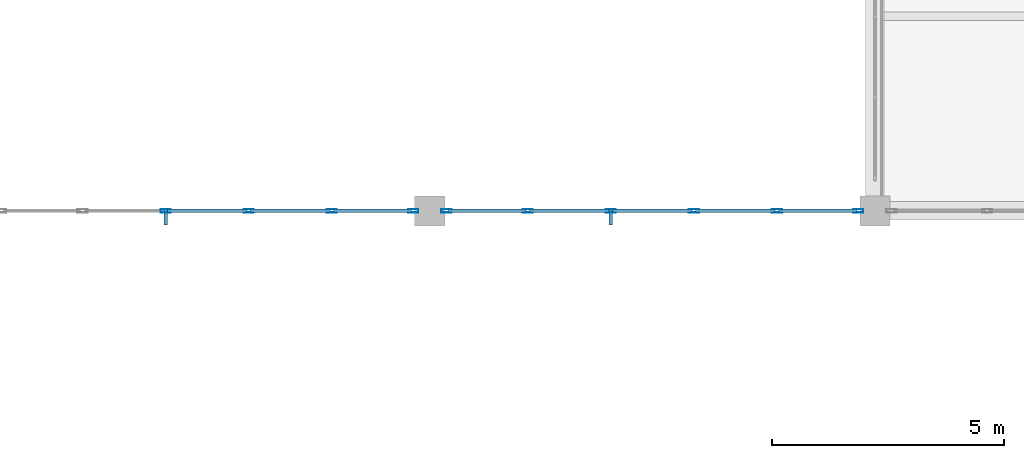
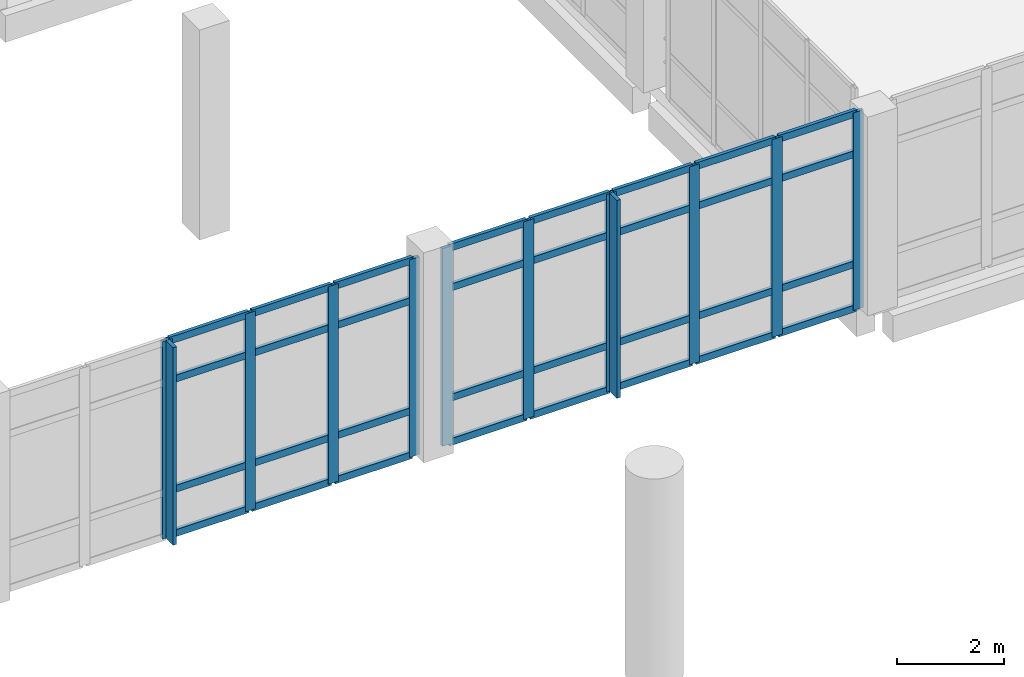
# One storey, part 36 of 102: 44 members, 2 elements without a shape of their own.
"""IFC4 building model written with IfcOpenShell, lengths in metres."""

from ifc_helpers import new_model, si_unit, direction, frame, origin, origin_2d, place, context, subcontext, project, spatial, rectangle, hollow_rectangle, extrude, material, layer, layer_set, material_profile, profile_set, type_object, element, aggregate, save


model = new_model("IFC4")

# Units and contexts
model_context = context("Model", 3, precision=1e-05, world=origin(), true_north=direction((0.0, 1.0)))
body_context = subcontext(model_context, "Body", "Model", "MODEL_VIEW")
ifc_project = project(units=[si_unit("LENGTHUNIT", "METRE"), si_unit("AREAUNIT", "SQUARE_METRE"), si_unit("VOLUMEUNIT", "CUBIC_METRE"), si_unit("PLANEANGLEUNIT", "RADIAN"), si_unit("MASSUNIT", "GRAM", prefix="KILO")], contexts=[model_context])

# Site, building, storey
site_placement = place(None, origin())
site = spatial("IfcSite", under=ifc_project, at=site_placement, CompositionType="ELEMENT")
building_placement = place(site_placement, origin())
building = spatial("IfcBuilding", under=site, at=building_placement, Name="Lornevale Opera House", CompositionType="ELEMENT")
storey_placement = place(building_placement, frame((0.0, 0.0, 5.39990234375)))
storey = spatial("IfcBuildingStorey", under=building, at=storey_placement, Name="L02", CompositionType="ELEMENT", Elevation=5.39990234375)

# Curtain wall, members
ifc_material_1 = material(Name="Anodized Oxide-Green Aluminium Framing", Category="aluminium")
ifc_layer = layer(ifc_material_1, 0.219970703125)
ifc_layer_set = layer_set([ifc_layer], Name="Anodized Oxide-Green Aluminium Framing")
curtain_wall_type = type_object("IfcCurtainWallType", Name="Winter-Garden Curtain Wall M1900", PredefinedType="NOTDEFINED", material=ifc_layer_set)
curtain_wall_1_placement = place(storey_placement, origin())
curtain_wall_1 = element("IfcCurtainWall", 1, at=curtain_wall_1_placement, inside=storey, type_object=curtain_wall_type, Name="Winter-Garden Curtain Wall M1900 CW-070", PredefinedType="NOTDEFINED")
ifc_material_profile_1 = material_profile(ifc_material_1, hollow_rectangle(XDim=0.074951171875, YDim=0.219970703125, WallThickness=0.0048828125, at=origin_2d()), Name="ALU75x220x5")
ifc_profile_set_1 = profile_set([ifc_material_profile_1], Name="Anodized Oxide-Green Aluminium Framing")
member_type_1 = type_object("IfcMemberType", Name="Curtain Wall Mullion 75x220", PredefinedType="MULLION", material=ifc_profile_set_1)
member_1_placement = place(storey_placement, frame((86.04150390625, 16.800048828125, 0.0), z_axis=(0.0, 0.0, 1.0), x_axis=(0.0, -1.0, 0.0)))
member_1 = element("IfcMember", 2, at=member_1_placement, type_object=member_type_1, Name="Curtain Wall Mullion 75x220 CW1398", PredefinedType="MULLION", context=body_context, shape_type="SweptSolid", body=[
    extrude(hollow_rectangle(XDim=0.074951171875, YDim=0.219970703125, WallThickness=0.0048828125, at=origin_2d()), origin(), (0.0, 0.0, 1.0), 4.52001953125),
])
member_2_placement = place(storey_placement, frame((84.287353515625, 16.800048828125, 0.0), z_axis=(0.0, 0.0, 1.0), x_axis=(0.0, -1.0, 0.0)))
member_2 = element("IfcMember", 3, at=member_2_placement, type_object=member_type_1, Name="Curtain Wall Mullion 75x220 CW1399", PredefinedType="MULLION", context=body_context, shape_type="SweptSolid", body=[
    extrude(hollow_rectangle(XDim=0.074951171875, YDim=0.219970703125, WallThickness=0.0048828125, at=origin_2d()), origin(), (0.0, 0.0, 1.0), 4.52001953125),
])
member_3_placement = place(storey_placement, frame((82.495849609375, 16.800048828125, 0.0), z_axis=(0.0, 0.0, 1.0), x_axis=(0.0, -1.0, 0.0)))
member_3 = element("IfcMember", 4, at=member_3_placement, type_object=member_type_1, Name="Curtain Wall Mullion 75x220 CW1400", PredefinedType="MULLION", context=body_context, shape_type="SweptSolid", body=[
    extrude(hollow_rectangle(XDim=0.074951171875, YDim=0.219970703125, WallThickness=0.0048828125, at=origin_2d()), origin(), (0.0, 0.0, 1.0), 4.52001953125),
])
member_4_placement = place(storey_placement, frame((80.7041015625, 16.800048828125, 0.0), z_axis=(0.0, 0.0, 1.0), x_axis=(0.0, -1.0, 0.0)))
member_4 = element("IfcMember", 5, at=member_4_placement, type_object=member_type_1, Name="Curtain Wall Mullion 75x220 CW1401", PredefinedType="MULLION", context=body_context, shape_type="SweptSolid", body=[
    extrude(hollow_rectangle(XDim=0.074951171875, YDim=0.219970703125, WallThickness=0.0048828125, at=origin_2d()), origin(), (0.0, 0.0, 1.0), 4.52001953125),
])

curtain_wall_2_placement = place(storey_placement, origin())
curtain_wall_2 = element("IfcCurtainWall", 6, at=curtain_wall_2_placement, inside=storey, type_object=curtain_wall_type, Name="Winter-Garden Curtain Wall M1900 CW-071", PredefinedType="NOTDEFINED")
member_5_placement = place(storey_placement, frame((95.6416015625, 16.800048828125, 0.0), z_axis=(0.0, 0.0, 1.0), x_axis=(0.0, -1.0, 0.0)))
member_5 = element("IfcMember", 7, at=member_5_placement, type_object=member_type_1, Name="Curtain Wall Mullion 75x220 CW1439", PredefinedType="MULLION", context=body_context, shape_type="SweptSolid", body=[
    extrude(hollow_rectangle(XDim=0.074951171875, YDim=0.219970703125, WallThickness=0.0048828125, at=origin_2d()), origin(), (0.0, 0.0, 1.0), 4.52001953125),
])
member_6_placement = place(storey_placement, frame((93.887451171875, 16.800048828125, 0.0), z_axis=(0.0, 0.0, 1.0), x_axis=(0.0, -1.0, 0.0)))
member_6 = element("IfcMember", 8, at=member_6_placement, type_object=member_type_1, Name="Curtain Wall Mullion 75x220 CW1440", PredefinedType="MULLION", context=body_context, shape_type="SweptSolid", body=[
    extrude(hollow_rectangle(XDim=0.074951171875, YDim=0.219970703125, WallThickness=0.0048828125, at=origin_2d()), origin(), (0.0, 0.0, 1.0), 4.52001953125),
])
member_7_placement = place(storey_placement, frame((92.095703125, 16.800048828125, 0.0), z_axis=(0.0, 0.0, 1.0), x_axis=(0.0, -1.0, 0.0)))
member_7 = element("IfcMember", 9, at=member_7_placement, type_object=member_type_1, Name="Curtain Wall Mullion 75x220 CW1441", PredefinedType="MULLION", context=body_context, shape_type="SweptSolid", body=[
    extrude(hollow_rectangle(XDim=0.074951171875, YDim=0.219970703125, WallThickness=0.0048828125, at=origin_2d()), origin(), (0.0, 0.0, 1.0), 4.52001953125),
])
member_8_placement = place(storey_placement, frame((90.30419921875, 16.800048828125, 0.0), z_axis=(0.0, 0.0, 1.0), x_axis=(0.0, -1.0, 0.0)))
member_8 = element("IfcMember", 10, at=member_8_placement, type_object=member_type_1, Name="Curtain Wall Mullion 75x220 CW1442", PredefinedType="MULLION", context=body_context, shape_type="SweptSolid", body=[
    extrude(hollow_rectangle(XDim=0.074951171875, YDim=0.219970703125, WallThickness=0.0048828125, at=origin_2d()), origin(), (0.0, 0.0, 1.0), 4.52001953125),
])
member_9_placement = place(storey_placement, frame((88.5126953125, 16.800048828125, 0.0), z_axis=(0.0, 0.0, 1.0), x_axis=(0.0, -1.0, 0.0)))
member_9 = element("IfcMember", 11, at=member_9_placement, type_object=member_type_1, Name="Curtain Wall Mullion 75x220 CW1443", PredefinedType="MULLION", context=body_context, shape_type="SweptSolid", body=[
    extrude(hollow_rectangle(XDim=0.074951171875, YDim=0.219970703125, WallThickness=0.0048828125, at=origin_2d()), origin(), (0.0, 0.0, 1.0), 4.52001953125),
])
member_10_placement = place(storey_placement, frame((86.758544921875, 16.800048828125, 0.0), z_axis=(0.0, 0.0, 1.0), x_axis=(0.0, -1.0, 0.0)))
member_10 = element("IfcMember", 12, at=member_10_placement, type_object=member_type_1, Name="Curtain Wall Mullion 75x220 CW1444", PredefinedType="MULLION", context=body_context, shape_type="SweptSolid", body=[
    extrude(hollow_rectangle(XDim=0.074951171875, YDim=0.219970703125, WallThickness=0.0048828125, at=origin_2d()), origin(), (0.0, 0.0, 1.0), 4.52001953125),
])

# Member
ifc_material_profile_2 = material_profile(ifc_material_1, hollow_rectangle(XDim=0.074951171875, YDim=0.159912109375, WallThickness=0.0048828125, at=origin_2d()), Name="ALU75x160x5")
ifc_profile_set_2 = profile_set([ifc_material_profile_2], Name="Anodized Oxide-Green Aluminium Framing")
member_type_2 = type_object("IfcMemberType", Name="Curtain Wall Transom 75x160", PredefinedType="USERDEFINED", material=ifc_profile_set_2)
member_11_placement = place(storey_placement, frame((86.00390625, 16.800048828125, 0.03759765625), z_axis=(-1.0, 0.0, 0.0), x_axis=(0.0, -1.0, 0.0)))
member_11 = element("IfcMember", 13, at=member_11_placement, type_object=member_type_2, Name="Curtain Wall Transom 75x160 CW1404", ObjectType="TRANSOM", PredefinedType="USERDEFINED", context=body_context, shape_type="SweptSolid", body=[
    extrude(hollow_rectangle(XDim=0.074951171875, YDim=0.159912109375, WallThickness=0.0048828125, at=origin_2d()), origin(), (0.0, 0.0, 1.0), 1.678955078125),
])

member_12_placement = place(storey_placement, frame((86.00390625, 16.800048828125, 1.050048828125), z_axis=(-1.0, 0.0, 0.0), x_axis=(0.0, -1.0, 0.0)))
member_12 = element("IfcMember", 14, at=member_12_placement, type_object=member_type_2, Name="Curtain Wall Transom 75x160 CW1405", ObjectType="TRANSOM", PredefinedType="USERDEFINED", context=body_context, shape_type="SweptSolid", body=[
    extrude(hollow_rectangle(XDim=0.074951171875, YDim=0.159912109375, WallThickness=0.0048828125, at=origin_2d()), origin(), (0.0, 0.0, 1.0), 1.678955078125),
])

member_13_placement = place(storey_placement, frame((86.00390625, 16.800048828125, 3.570068359375), z_axis=(-1.0, 0.0, 0.0), x_axis=(0.0, -1.0, 0.0)))
member_13 = element("IfcMember", 15, at=member_13_placement, type_object=member_type_2, Name="Curtain Wall Transom 75x160 CW1406", ObjectType="TRANSOM", PredefinedType="USERDEFINED", context=body_context, shape_type="SweptSolid", body=[
    extrude(hollow_rectangle(XDim=0.074951171875, YDim=0.159912109375, WallThickness=0.0048828125, at=origin_2d()), origin(), (0.0, 0.0, 1.0), 1.678955078125),
])

member_14_placement = place(storey_placement, frame((86.00390625, 16.800048828125, 4.482666015625), z_axis=(-1.0, 0.0, 0.0), x_axis=(0.0, -1.0, 0.0)))
member_14 = element("IfcMember", 16, at=member_14_placement, type_object=member_type_2, Name="Curtain Wall Transom 75x160 CW1407", ObjectType="TRANSOM", PredefinedType="USERDEFINED", context=body_context, shape_type="SweptSolid", body=[
    extrude(hollow_rectangle(XDim=0.074951171875, YDim=0.159912109375, WallThickness=0.0048828125, at=origin_2d()), origin(), (0.0, 0.0, 1.0), 1.678955078125),
])

member_15_placement = place(storey_placement, frame((84.25, 16.800048828125, 0.03759765625), z_axis=(-1.0, 0.0, 0.0), x_axis=(0.0, -1.0, 0.0)))
member_15 = element("IfcMember", 17, at=member_15_placement, type_object=member_type_2, Name="Curtain Wall Transom 75x160 CW1411", ObjectType="TRANSOM", PredefinedType="USERDEFINED", context=body_context, shape_type="SweptSolid", body=[
    extrude(hollow_rectangle(XDim=0.074951171875, YDim=0.159912109375, WallThickness=0.0048828125, at=origin_2d()), origin(), (0.0, 0.0, 1.0), 1.716796875),
])

member_16_placement = place(storey_placement, frame((84.25, 16.800048828125, 1.050048828125), z_axis=(-1.0, 0.0, 0.0), x_axis=(0.0, -1.0, 0.0)))
member_16 = element("IfcMember", 18, at=member_16_placement, type_object=member_type_2, Name="Curtain Wall Transom 75x160 CW1412", ObjectType="TRANSOM", PredefinedType="USERDEFINED", context=body_context, shape_type="SweptSolid", body=[
    extrude(hollow_rectangle(XDim=0.074951171875, YDim=0.159912109375, WallThickness=0.0048828125, at=origin_2d()), origin(), (0.0, 0.0, 1.0), 1.716796875),
])

member_17_placement = place(storey_placement, frame((84.25, 16.800048828125, 3.570068359375), z_axis=(-1.0, 0.0, 0.0), x_axis=(0.0, -1.0, 0.0)))
member_17 = element("IfcMember", 19, at=member_17_placement, type_object=member_type_2, Name="Curtain Wall Transom 75x160 CW1413", ObjectType="TRANSOM", PredefinedType="USERDEFINED", context=body_context, shape_type="SweptSolid", body=[
    extrude(hollow_rectangle(XDim=0.074951171875, YDim=0.159912109375, WallThickness=0.0048828125, at=origin_2d()), origin(), (0.0, 0.0, 1.0), 1.716796875),
])

member_18_placement = place(storey_placement, frame((84.25, 16.800048828125, 4.482666015625), z_axis=(-1.0, 0.0, 0.0), x_axis=(0.0, -1.0, 0.0)))
member_18 = element("IfcMember", 20, at=member_18_placement, type_object=member_type_2, Name="Curtain Wall Transom 75x160 CW1414", ObjectType="TRANSOM", PredefinedType="USERDEFINED", context=body_context, shape_type="SweptSolid", body=[
    extrude(hollow_rectangle(XDim=0.074951171875, YDim=0.159912109375, WallThickness=0.0048828125, at=origin_2d()), origin(), (0.0, 0.0, 1.0), 1.716796875),
])

member_19_placement = place(storey_placement, frame((82.458251953125, 16.800048828125, 0.03759765625), z_axis=(-1.0, 0.0, 0.0), x_axis=(0.0, -1.0, 0.0)))
member_19 = element("IfcMember", 21, at=member_19_placement, type_object=member_type_2, Name="Curtain Wall Transom 75x160 CW1418", ObjectType="TRANSOM", PredefinedType="USERDEFINED", context=body_context, shape_type="SweptSolid", body=[
    extrude(hollow_rectangle(XDim=0.074951171875, YDim=0.159912109375, WallThickness=0.0048828125, at=origin_2d()), origin(), (0.0, 0.0, 1.0), 1.716552734375),
])

member_20_placement = place(storey_placement, frame((82.458251953125, 16.800048828125, 1.050048828125), z_axis=(-1.0, 0.0, 0.0), x_axis=(0.0, -1.0, 0.0)))
member_20 = element("IfcMember", 22, at=member_20_placement, type_object=member_type_2, Name="Curtain Wall Transom 75x160 CW1419", ObjectType="TRANSOM", PredefinedType="USERDEFINED", context=body_context, shape_type="SweptSolid", body=[
    extrude(hollow_rectangle(XDim=0.074951171875, YDim=0.159912109375, WallThickness=0.0048828125, at=origin_2d()), origin(), (0.0, 0.0, 1.0), 1.716552734375),
])

member_21_placement = place(storey_placement, frame((82.458251953125, 16.800048828125, 3.570068359375), z_axis=(-1.0, 0.0, 0.0), x_axis=(0.0, -1.0, 0.0)))
member_21 = element("IfcMember", 23, at=member_21_placement, type_object=member_type_2, Name="Curtain Wall Transom 75x160 CW1420", ObjectType="TRANSOM", PredefinedType="USERDEFINED", context=body_context, shape_type="SweptSolid", body=[
    extrude(hollow_rectangle(XDim=0.074951171875, YDim=0.159912109375, WallThickness=0.0048828125, at=origin_2d()), origin(), (0.0, 0.0, 1.0), 1.716552734375),
])

member_22_placement = place(storey_placement, frame((82.458251953125, 16.800048828125, 4.482666015625), z_axis=(-1.0, 0.0, 0.0), x_axis=(0.0, -1.0, 0.0)))
member_22 = element("IfcMember", 24, at=member_22_placement, type_object=member_type_2, Name="Curtain Wall Transom 75x160 CW1421", ObjectType="TRANSOM", PredefinedType="USERDEFINED", context=body_context, shape_type="SweptSolid", body=[
    extrude(hollow_rectangle(XDim=0.074951171875, YDim=0.159912109375, WallThickness=0.0048828125, at=origin_2d()), origin(), (0.0, 0.0, 1.0), 1.716552734375),
])

member_23_placement = place(storey_placement, frame((95.60400390625, 16.800048828125, 0.03759765625), z_axis=(-1.0, 0.0, 0.0), x_axis=(0.0, -1.0, 0.0)))
member_23 = element("IfcMember", 25, at=member_23_placement, type_object=member_type_2, Name="Curtain Wall Transom 75x160 CW1445", ObjectType="TRANSOM", PredefinedType="USERDEFINED", context=body_context, shape_type="SweptSolid", body=[
    extrude(hollow_rectangle(XDim=0.074951171875, YDim=0.159912109375, WallThickness=0.0048828125, at=origin_2d()), origin(), (0.0, 0.0, 1.0), 1.67919921875),
])

member_24_placement = place(storey_placement, frame((95.60400390625, 16.800048828125, 1.050048828125), z_axis=(-1.0, 0.0, 0.0), x_axis=(0.0, -1.0, 0.0)))
member_24 = element("IfcMember", 26, at=member_24_placement, type_object=member_type_2, Name="Curtain Wall Transom 75x160 CW1446", ObjectType="TRANSOM", PredefinedType="USERDEFINED", context=body_context, shape_type="SweptSolid", body=[
    extrude(hollow_rectangle(XDim=0.074951171875, YDim=0.159912109375, WallThickness=0.0048828125, at=origin_2d()), origin(), (0.0, 0.0, 1.0), 1.67919921875),
])

member_25_placement = place(storey_placement, frame((95.60400390625, 16.800048828125, 3.570068359375), z_axis=(-1.0, 0.0, 0.0), x_axis=(0.0, -1.0, 0.0)))
member_25 = element("IfcMember", 27, at=member_25_placement, type_object=member_type_2, Name="Curtain Wall Transom 75x160 CW1447", ObjectType="TRANSOM", PredefinedType="USERDEFINED", context=body_context, shape_type="SweptSolid", body=[
    extrude(hollow_rectangle(XDim=0.074951171875, YDim=0.159912109375, WallThickness=0.0048828125, at=origin_2d()), origin(), (0.0, 0.0, 1.0), 1.67919921875),
])

member_26_placement = place(storey_placement, frame((95.60400390625, 16.800048828125, 4.482666015625), z_axis=(-1.0, 0.0, 0.0), x_axis=(0.0, -1.0, 0.0)))
member_26 = element("IfcMember", 28, at=member_26_placement, type_object=member_type_2, Name="Curtain Wall Transom 75x160 CW1448", ObjectType="TRANSOM", PredefinedType="USERDEFINED", context=body_context, shape_type="SweptSolid", body=[
    extrude(hollow_rectangle(XDim=0.074951171875, YDim=0.159912109375, WallThickness=0.0048828125, at=origin_2d()), origin(), (0.0, 0.0, 1.0), 1.67919921875),
])

member_27_placement = place(storey_placement, frame((93.849853515625, 16.800048828125, 0.03759765625), z_axis=(-1.0, 0.0, 0.0), x_axis=(0.0, -1.0, 0.0)))
member_27 = element("IfcMember", 29, at=member_27_placement, type_object=member_type_2, Name="Curtain Wall Transom 75x160 CW1452", ObjectType="TRANSOM", PredefinedType="USERDEFINED", context=body_context, shape_type="SweptSolid", body=[
    extrude(hollow_rectangle(XDim=0.074951171875, YDim=0.159912109375, WallThickness=0.0048828125, at=origin_2d()), origin(), (0.0, 0.0, 1.0), 1.716552734375),
])

member_28_placement = place(storey_placement, frame((93.849853515625, 16.800048828125, 1.050048828125), z_axis=(-1.0, 0.0, 0.0), x_axis=(0.0, -1.0, 0.0)))
member_28 = element("IfcMember", 30, at=member_28_placement, type_object=member_type_2, Name="Curtain Wall Transom 75x160 CW1453", ObjectType="TRANSOM", PredefinedType="USERDEFINED", context=body_context, shape_type="SweptSolid", body=[
    extrude(hollow_rectangle(XDim=0.074951171875, YDim=0.159912109375, WallThickness=0.0048828125, at=origin_2d()), origin(), (0.0, 0.0, 1.0), 1.716552734375),
])

member_29_placement = place(storey_placement, frame((93.849853515625, 16.800048828125, 3.570068359375), z_axis=(-1.0, 0.0, 0.0), x_axis=(0.0, -1.0, 0.0)))
member_29 = element("IfcMember", 31, at=member_29_placement, type_object=member_type_2, Name="Curtain Wall Transom 75x160 CW1454", ObjectType="TRANSOM", PredefinedType="USERDEFINED", context=body_context, shape_type="SweptSolid", body=[
    extrude(hollow_rectangle(XDim=0.074951171875, YDim=0.159912109375, WallThickness=0.0048828125, at=origin_2d()), origin(), (0.0, 0.0, 1.0), 1.716552734375),
])

member_30_placement = place(storey_placement, frame((93.849853515625, 16.800048828125, 4.482666015625), z_axis=(-1.0, 0.0, 0.0), x_axis=(0.0, -1.0, 0.0)))
member_30 = element("IfcMember", 32, at=member_30_placement, type_object=member_type_2, Name="Curtain Wall Transom 75x160 CW1455", ObjectType="TRANSOM", PredefinedType="USERDEFINED", context=body_context, shape_type="SweptSolid", body=[
    extrude(hollow_rectangle(XDim=0.074951171875, YDim=0.159912109375, WallThickness=0.0048828125, at=origin_2d()), origin(), (0.0, 0.0, 1.0), 1.716552734375),
])

member_31_placement = place(storey_placement, frame((92.058349609375, 16.800048828125, 0.03759765625), z_axis=(-1.0, 0.0, 0.0), x_axis=(0.0, -1.0, 0.0)))
member_31 = element("IfcMember", 33, at=member_31_placement, type_object=member_type_2, Name="Curtain Wall Transom 75x160 CW1459", ObjectType="TRANSOM", PredefinedType="USERDEFINED", context=body_context, shape_type="SweptSolid", body=[
    extrude(hollow_rectangle(XDim=0.074951171875, YDim=0.159912109375, WallThickness=0.0048828125, at=origin_2d()), origin(), (0.0, 0.0, 1.0), 1.716552734375),
])

member_32_placement = place(storey_placement, frame((92.058349609375, 16.800048828125, 1.050048828125), z_axis=(-1.0, 0.0, 0.0), x_axis=(0.0, -1.0, 0.0)))
member_32 = element("IfcMember", 34, at=member_32_placement, type_object=member_type_2, Name="Curtain Wall Transom 75x160 CW1460", ObjectType="TRANSOM", PredefinedType="USERDEFINED", context=body_context, shape_type="SweptSolid", body=[
    extrude(hollow_rectangle(XDim=0.074951171875, YDim=0.159912109375, WallThickness=0.0048828125, at=origin_2d()), origin(), (0.0, 0.0, 1.0), 1.716552734375),
])

member_33_placement = place(storey_placement, frame((92.058349609375, 16.800048828125, 3.570068359375), z_axis=(-1.0, 0.0, 0.0), x_axis=(0.0, -1.0, 0.0)))
member_33 = element("IfcMember", 35, at=member_33_placement, type_object=member_type_2, Name="Curtain Wall Transom 75x160 CW1461", ObjectType="TRANSOM", PredefinedType="USERDEFINED", context=body_context, shape_type="SweptSolid", body=[
    extrude(hollow_rectangle(XDim=0.074951171875, YDim=0.159912109375, WallThickness=0.0048828125, at=origin_2d()), origin(), (0.0, 0.0, 1.0), 1.716552734375),
])

member_34_placement = place(storey_placement, frame((92.058349609375, 16.800048828125, 4.482666015625), z_axis=(-1.0, 0.0, 0.0), x_axis=(0.0, -1.0, 0.0)))
member_34 = element("IfcMember", 36, at=member_34_placement, type_object=member_type_2, Name="Curtain Wall Transom 75x160 CW1462", ObjectType="TRANSOM", PredefinedType="USERDEFINED", context=body_context, shape_type="SweptSolid", body=[
    extrude(hollow_rectangle(XDim=0.074951171875, YDim=0.159912109375, WallThickness=0.0048828125, at=origin_2d()), origin(), (0.0, 0.0, 1.0), 1.716552734375),
])

member_35_placement = place(storey_placement, frame((90.2666015625, 16.800048828125, 0.03759765625), z_axis=(-1.0, 0.0, 0.0), x_axis=(0.0, -1.0, 0.0)))
member_35 = element("IfcMember", 37, at=member_35_placement, type_object=member_type_2, Name="Curtain Wall Transom 75x160 CW1466", ObjectType="TRANSOM", PredefinedType="USERDEFINED", context=body_context, shape_type="SweptSolid", body=[
    extrude(hollow_rectangle(XDim=0.074951171875, YDim=0.159912109375, WallThickness=0.0048828125, at=origin_2d()), origin(), (0.0, 0.0, 1.0), 1.716552734375),
])

member_36_placement = place(storey_placement, frame((90.2666015625, 16.800048828125, 1.050048828125), z_axis=(-1.0, 0.0, 0.0), x_axis=(0.0, -1.0, 0.0)))
member_36 = element("IfcMember", 38, at=member_36_placement, type_object=member_type_2, Name="Curtain Wall Transom 75x160 CW1467", ObjectType="TRANSOM", PredefinedType="USERDEFINED", context=body_context, shape_type="SweptSolid", body=[
    extrude(hollow_rectangle(XDim=0.074951171875, YDim=0.159912109375, WallThickness=0.0048828125, at=origin_2d()), origin(), (0.0, 0.0, 1.0), 1.716552734375),
])

member_37_placement = place(storey_placement, frame((90.2666015625, 16.800048828125, 3.570068359375), z_axis=(-1.0, 0.0, 0.0), x_axis=(0.0, -1.0, 0.0)))
member_37 = element("IfcMember", 39, at=member_37_placement, type_object=member_type_2, Name="Curtain Wall Transom 75x160 CW1468", ObjectType="TRANSOM", PredefinedType="USERDEFINED", context=body_context, shape_type="SweptSolid", body=[
    extrude(hollow_rectangle(XDim=0.074951171875, YDim=0.159912109375, WallThickness=0.0048828125, at=origin_2d()), origin(), (0.0, 0.0, 1.0), 1.716552734375),
])

member_38_placement = place(storey_placement, frame((90.2666015625, 16.800048828125, 4.482666015625), z_axis=(-1.0, 0.0, 0.0), x_axis=(0.0, -1.0, 0.0)))
member_38 = element("IfcMember", 40, at=member_38_placement, type_object=member_type_2, Name="Curtain Wall Transom 75x160 CW1469", ObjectType="TRANSOM", PredefinedType="USERDEFINED", context=body_context, shape_type="SweptSolid", body=[
    extrude(hollow_rectangle(XDim=0.074951171875, YDim=0.159912109375, WallThickness=0.0048828125, at=origin_2d()), origin(), (0.0, 0.0, 1.0), 1.716552734375),
])

member_39_placement = place(storey_placement, frame((88.47509765625, 16.800048828125, 0.03759765625), z_axis=(-1.0, 0.0, 0.0), x_axis=(0.0, -1.0, 0.0)))
member_39 = element("IfcMember", 41, at=member_39_placement, type_object=member_type_2, Name="Curtain Wall Transom 75x160 CW1473", ObjectType="TRANSOM", PredefinedType="USERDEFINED", context=body_context, shape_type="SweptSolid", body=[
    extrude(hollow_rectangle(XDim=0.074951171875, YDim=0.159912109375, WallThickness=0.0048828125, at=origin_2d()), origin(), (0.0, 0.0, 1.0), 1.67919921875),
])

member_40_placement = place(storey_placement, frame((88.47509765625, 16.800048828125, 1.050048828125), z_axis=(-1.0, 0.0, 0.0), x_axis=(0.0, -1.0, 0.0)))
member_40 = element("IfcMember", 42, at=member_40_placement, type_object=member_type_2, Name="Curtain Wall Transom 75x160 CW1474", ObjectType="TRANSOM", PredefinedType="USERDEFINED", context=body_context, shape_type="SweptSolid", body=[
    extrude(hollow_rectangle(XDim=0.074951171875, YDim=0.159912109375, WallThickness=0.0048828125, at=origin_2d()), origin(), (0.0, 0.0, 1.0), 1.67919921875),
])

member_41_placement = place(storey_placement, frame((88.47509765625, 16.800048828125, 3.570068359375), z_axis=(-1.0, 0.0, 0.0), x_axis=(0.0, -1.0, 0.0)))
member_41 = element("IfcMember", 43, at=member_41_placement, type_object=member_type_2, Name="Curtain Wall Transom 75x160 CW1475", ObjectType="TRANSOM", PredefinedType="USERDEFINED", context=body_context, shape_type="SweptSolid", body=[
    extrude(hollow_rectangle(XDim=0.074951171875, YDim=0.159912109375, WallThickness=0.0048828125, at=origin_2d()), origin(), (0.0, 0.0, 1.0), 1.67919921875),
])

member_42_placement = place(storey_placement, frame((88.47509765625, 16.800048828125, 4.482666015625), z_axis=(-1.0, 0.0, 0.0), x_axis=(0.0, -1.0, 0.0)))
member_42 = element("IfcMember", 44, at=member_42_placement, type_object=member_type_2, Name="Curtain Wall Transom 75x160 CW1476", ObjectType="TRANSOM", PredefinedType="USERDEFINED", context=body_context, shape_type="SweptSolid", body=[
    extrude(hollow_rectangle(XDim=0.074951171875, YDim=0.159912109375, WallThickness=0.0048828125, at=origin_2d()), origin(), (0.0, 0.0, 1.0), 1.67919921875),
])

ifc_material_2 = material(Name="Architectural Bronze Solar Louvre Alloy", Category="metal")
ifc_material_profile_3 = material_profile(ifc_material_2, rectangle(XDim=0.080078125, YDim=0.360107421875, at=origin_2d()), Name="FIN80x360")
ifc_profile_set_3 = profile_set([ifc_material_profile_3], Name="Architectural Bronze Solar Louvre Alloy")
member_type_3 = type_object("IfcMemberType", Name="Solar Shading Fin 80x360", PredefinedType="USERDEFINED", material=ifc_profile_set_3)
member_43_placement = place(storey_placement, frame((80.7041015625, 16.674072265625, 0.0), z_axis=(0.0, 0.0, 1.0), x_axis=(-1.0, 0.0, 0.0)))
member_43 = element("IfcMember", 45, at=member_43_placement, type_object=member_type_3, Name="Solar Shading Fin 80x360 FIN0029", ObjectType="SOLAR FIN", PredefinedType="USERDEFINED", context=body_context, shape_type="SweptSolid", body=[
    extrude(rectangle(XDim=0.080078125, YDim=0.360107421875, at=origin_2d()), origin(), (0.0, 0.0, 1.0), 4.52001953125),
])

aggregate(curtain_wall_1, [member_1, member_2, member_3, member_4, member_11, member_12, member_13, member_14, member_15, member_16, member_17, member_18, member_19, member_20, member_21, member_22, member_43])

member_44_placement = place(storey_placement, frame((90.30419921875, 16.674072265625, 0.0), z_axis=(0.0, 0.0, 1.0), x_axis=(-1.0, 0.0, 0.0)))
member_44 = element("IfcMember", 46, at=member_44_placement, type_object=member_type_3, Name="Solar Shading Fin 80x360 FIN0030", ObjectType="SOLAR FIN", PredefinedType="USERDEFINED", context=body_context, shape_type="SweptSolid", body=[
    extrude(rectangle(XDim=0.080078125, YDim=0.360107421875, at=origin_2d()), origin(), (0.0, 0.0, 1.0), 4.52001953125),
])

aggregate(curtain_wall_2, [member_5, member_6, member_7, member_8, member_9, member_10, member_23, member_24, member_25, member_26, member_27, member_28, member_29, member_30, member_31, member_32, member_33, member_34, member_35, member_36, member_37, member_38, member_39, member_40, member_41, member_42, member_44])

save(model, "model.ifc")
